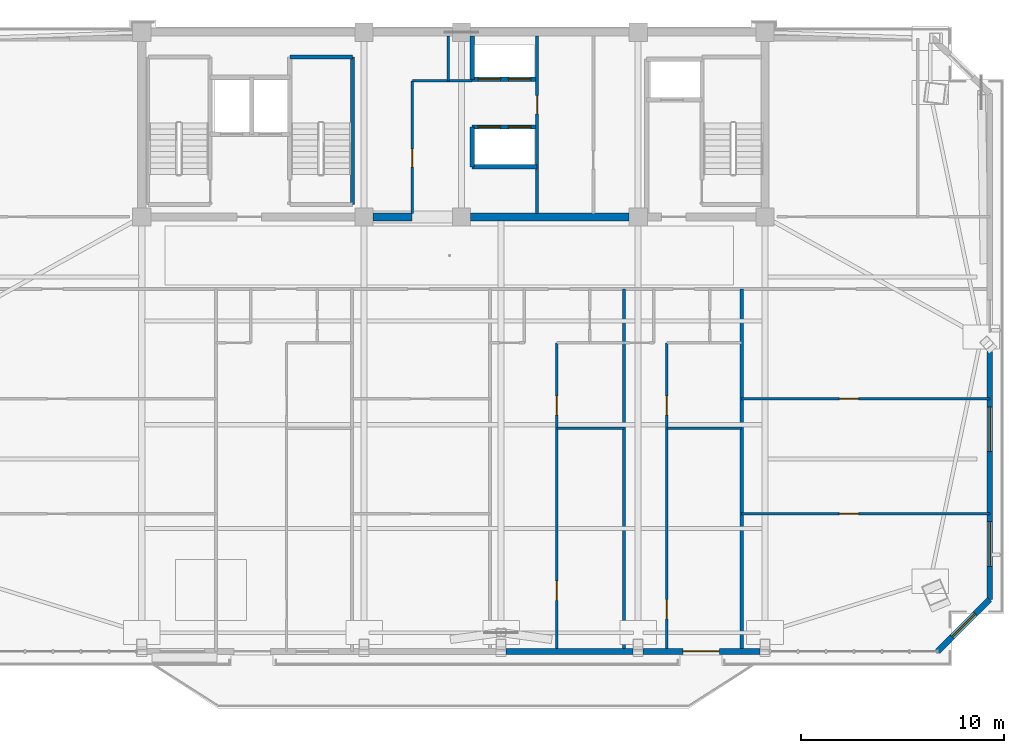
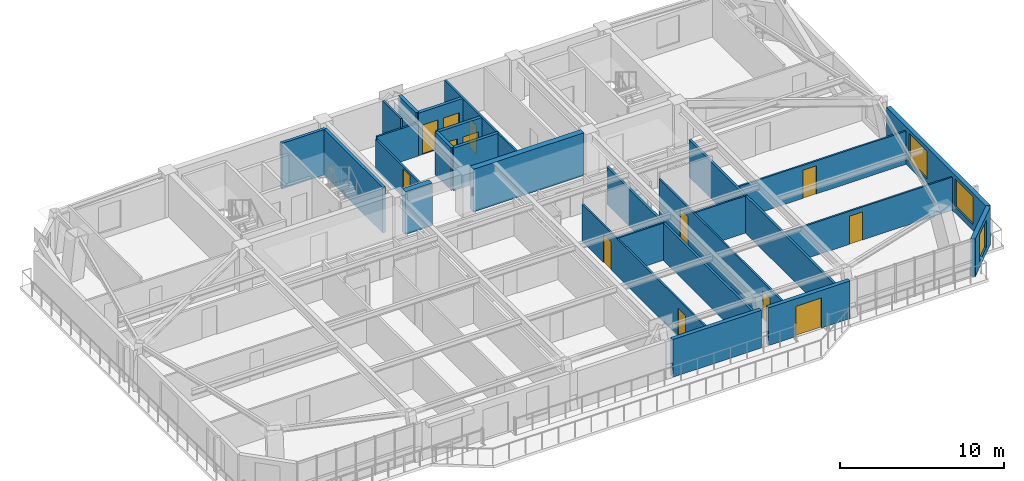
# One storey, part 10 of 18: 25 walls, 13 doors, 3 windows, 16 openings.
"""IFC4 building model written with IfcOpenShell, lengths in metres."""

from ifc_helpers import new_model, si_unit, direction, frame, frame_2d, origin, place, context, subcontext, project, spatial, rectangle, extrude, source, transform, mapped, material, layer, layer_set, type_object, element, fill, save


model = new_model("IFC4")

# Units and contexts
model_context = context("Model", 3, precision=1e-05, world=origin(), true_north=direction((0.0, 1.0)))
body_context = subcontext(model_context, "Body", "Model", "MODEL_VIEW")
ifc_project = project(units=[si_unit("LENGTHUNIT", "METRE"), si_unit("AREAUNIT", "SQUARE_METRE"), si_unit("VOLUMEUNIT", "CUBIC_METRE"), si_unit("PLANEANGLEUNIT", "RADIAN"), si_unit("MASSUNIT", "GRAM", prefix="KILO")], contexts=[model_context])

# Site, building, storey
site_placement = place(None, origin())
site = spatial("IfcSite", under=ifc_project, at=site_placement, CompositionType="ELEMENT")
building_placement = place(site_placement, origin())
building = spatial("IfcBuilding", under=site, at=building_placement, Name="Giltprow Tower", CompositionType="ELEMENT")
storey_placement = place(building_placement, frame((0.0, 0.0, 265.5)))
storey = spatial("IfcBuildingStorey", under=building, at=storey_placement, Name="L68", CompositionType="ELEMENT", Elevation=265.5)

# Wall, opening, window
ifc_material_1 = material(Name="Precast concrete C40", Category="concrete")
ifc_layer_1 = layer(ifc_material_1, 0.300048828125, Name="Precast concrete C40")
ifc_layer_set_1 = layer_set([ifc_layer_1], Name="Precast concrete C40")
wall_type_1 = type_object("IfcWallType", Name="EW-NOTCH-CHAMFER-300", PredefinedType="SOLIDWALL", material=ifc_layer_set_1)
wall_1_placement = place(storey_placement, frame((59.052978515625, 16.044921875, 0.0), z_axis=(0.0, 0.0, 1.0), x_axis=(0.707106781187, 0.707106781187, 0.0)))
wall_1 = element("IfcWall", 1, at=wall_1_placement, inside=storey, type_object=wall_type_1, Name="L68 Corner Notch Wall SE", PredefinedType="SOLIDWALL", context=body_context, shape_type="SweptSolid", body=[
    extrude(rectangle(XDim=3.63330078125, YDim=0.300048828125, at=frame_2d((1.816650390625, 0.0))), origin(), (0.0, 0.0, 1.0), 2.81494140625),
])
opening_1_placement = place(wall_1_placement, frame((1.01708984375, 0.0, 0.449951171875)))
opening_1 = element("IfcOpeningElement", 2, at=opening_1_placement, cuts=wall_1, Name="Opening WN17", PredefinedType="OPENING", context=body_context, shape_type="SweptSolid", body=[
    extrude(rectangle(XDim=1.60009765625, YDim=2.0, at=frame_2d((0.800048828125, 1.0))), frame((0.0, 0.159912109375, 0.0), z_axis=(0.0, -1.0, 0.0), x_axis=(1.0, 0.0, 0.0)), (0.0, 0.0, 1.0), 0.320068359375),
])
ifc_material_2 = material(Name="Insulated glass", Category="glass")
window_type_1 = type_object("IfcWindowType", Name="WN-COR-1600x2000", PartitioningType="SINGLE_PANEL", PredefinedType="WINDOW", material=ifc_material_2)
shared_shape_1 = source(origin(), body_context, "Body", "SweptSolid", [
    extrude(rectangle(XDim=1.60009765625, YDim=2.0, at=frame_2d((0.800048828125, 1.0))), frame((0.0, 0.030029296875, 0.0), z_axis=(0.0, -1.0, 0.0), x_axis=(1.0, 0.0, 0.0)), (0.0, 0.0, 1.0), 0.06005859375),
])
window_1_placement = place(opening_1_placement, origin())
window_1 = element("IfcWindow", 3, at=window_1_placement, inside=storey, type_object=window_type_1, Name="L68 Corner Notch Window SE", OverallHeight=2.0, OverallWidth=1.60009765625, PartitioningType="SINGLE_PANEL", PredefinedType="WINDOW", context=body_context, shape_type="MappedRepresentation", body=[
    mapped(shared_shape_1, transform((0.0, 0.0, 0.0), x_axis=(1.0, 0.0, 0.0), y_axis=(0.0, 1.0, 0.0), z_axis=(0.0, 0.0, 1.0), scale=1.0)),
])
fill(opening_1, window_1)

# Wall
ifc_layer_2 = layer(ifc_material_1, 0.280029296875, Name="Precast concrete C40")
ifc_layer_set_2 = layer_set([ifc_layer_2], Name="Precast concrete C40")
wall_type_2 = type_object("IfcWallType", Name="EW-TOW-BRONZE-280", PredefinedType="SOLIDWALL", material=ifc_layer_set_2)
wall_2_placement = place(storey_placement, frame((37.800048828125, 16.044921875, 0.0), z_axis=(0.0, 0.0, 1.0), x_axis=(1.0, 0.0, 0.0)))
element("IfcWall", 4, at=wall_2_placement, inside=storey, type_object=wall_type_2, Name="L68 South Expressed Frame Wall 4", PredefinedType="SOLIDWALL", context=body_context, shape_type="SweptSolid", body=[
    extrude(rectangle(XDim=6.25, YDim=0.280029296875, at=frame_2d((3.125, 0.0))), origin(), (0.0, 0.0, 1.0), 2.81494140625),
])

# Wall, opening, door
wall_3_placement = place(storey_placement, frame((44.550048828125, 16.044921875, 0.0), z_axis=(0.0, 0.0, 1.0), x_axis=(1.0, 0.0, 0.0)))
wall_3 = element("IfcWall", 5, at=wall_3_placement, inside=storey, type_object=wall_type_2, Name="L68 South Expressed Frame Wall 5", PredefinedType="SOLIDWALL", context=body_context, shape_type="SweptSolid", body=[
    extrude(rectangle(XDim=5.75, YDim=0.280029296875, at=frame_2d((2.875, 0.0))), origin(), (0.0, 0.0, 1.0), 2.81494140625),
])
opening_2_placement = place(wall_3_placement, frame((1.949951171875, 0.0, 0.0)))
opening_2 = element("IfcOpeningElement", 6, at=opening_2_placement, cuts=wall_3, Name="Opening ED25", PredefinedType="OPENING", context=body_context, shape_type="SweptSolid", body=[
    extrude(rectangle(XDim=1.800048828125, YDim=2.25, at=frame_2d((0.89990234375, 1.125))), frame((0.0, 0.14990234375, 0.0), z_axis=(0.0, -1.0, 0.0), x_axis=(1.0, 0.0, 0.0)), (0.0, 0.0, 1.0), 0.300048828125),
])
ifc_material_3 = material(Name="Anodized bronze and glass", Category="glass")
door_type_1 = type_object("IfcDoorType", Name="DR-BALC-SLIDE-1800", OperationType="SLIDING_TO_LEFT", PredefinedType="DOOR", material=ifc_material_3)
shared_shape_2 = source(origin(), body_context, "Body", "SweptSolid", [
    extrude(rectangle(XDim=1.800048828125, YDim=2.25, at=frame_2d((0.89990234375, 1.125))), frame((0.0, 0.02490234375, 0.0), z_axis=(0.0, -1.0, 0.0), x_axis=(1.0, 0.0, 0.0)), (0.0, 0.0, 1.0), 0.050048828125),
])
door_1_placement = place(opening_2_placement, origin())
door_1 = element("IfcDoor", 7, at=door_1_placement, inside=storey, type_object=door_type_1, Name="L68 Waterfront Balcony Sliding Door 2", OperationType="SLIDING_TO_LEFT", OverallHeight=2.25, OverallWidth=1.800048828125, PredefinedType="DOOR", context=body_context, shape_type="MappedRepresentation", body=[
    mapped(shared_shape_2, transform((0.0, 0.0, 0.0), x_axis=(1.0, 0.0, 0.0), y_axis=(0.0, 1.0, 0.0), z_axis=(0.0, 0.0, 1.0), scale=1.0)),
])
fill(opening_2, door_1)

# Wall, openings, windows
wall_4_placement = place(storey_placement, frame((61.6220703125, 18.614013671875, 0.0), z_axis=(0.0, 0.0, 1.0), x_axis=(0.0, 1.0, 0.0)))
wall_4 = element("IfcWall", 8, at=wall_4_placement, inside=storey, type_object=wall_type_2, Name="L68 E Wing Masonry Wall 1", PredefinedType="SOLIDWALL", context=body_context, shape_type="SweptSolid", body=[
    extrude(rectangle(XDim=12.2080078125, YDim=0.280029296875, at=frame_2d((6.10400390625, 0.0))), origin(), (0.0, 0.0, 1.0), 2.81494140625),
])
opening_3_placement = place(wall_4_placement, frame((1.62109375, 0.0, 0.449951171875)))
opening_3 = element("IfcOpeningElement", 9, at=opening_3_placement, cuts=wall_4, Name="Opening WN27", PredefinedType="OPENING", context=body_context, shape_type="SweptSolid", body=[
    extrude(rectangle(XDim=2.199951171875, YDim=2.10009765625, at=frame_2d((1.10009765625, 1.050048828125))), frame((0.0, 0.14990234375, 0.0), z_axis=(0.0, -1.0, 0.0), x_axis=(1.0, 0.0, 0.0)), (0.0, 0.0, 1.0), 0.300048828125),
])
opening_4_placement = place(wall_4_placement, frame((7.280029296875, 0.0, 0.449951171875)))
opening_4 = element("IfcOpeningElement", 10, at=opening_4_placement, cuts=wall_4, Name="Opening WN27", PredefinedType="OPENING", context=body_context, shape_type="SweptSolid", body=[
    extrude(rectangle(XDim=2.199951171875, YDim=2.10009765625, at=frame_2d((1.10009765625, 1.050048828125))), frame((0.0, 0.14990234375, 0.0), z_axis=(0.0, -1.0, 0.0), x_axis=(1.0, 0.0, 0.0)), (0.0, 0.0, 1.0), 0.300048828125),
])
window_type_2 = type_object("IfcWindowType", Name="WN-RES-2200x2100", PartitioningType="TRIPLE_PANEL_VERTICAL", PredefinedType="WINDOW", material=ifc_material_2)
shared_shape_3 = source(origin(), body_context, "Body", "SweptSolid", [
    extrude(rectangle(XDim=2.199951171875, YDim=2.10009765625, at=frame_2d((1.10009765625, 1.050048828125))), frame((0.0, 0.030029296875, 0.0), z_axis=(0.0, -1.0, 0.0), x_axis=(1.0, 0.0, 0.0)), (0.0, 0.0, 1.0), 0.06005859375),
])
window_2_placement = place(opening_3_placement, origin())
window_2 = element("IfcWindow", 11, at=window_2_placement, inside=storey, type_object=window_type_2, Name="L68 E Wing Window 1-1A", OverallHeight=2.10009765625, OverallWidth=2.199951171875, PartitioningType="SINGLE_PANEL", PredefinedType="WINDOW", context=body_context, shape_type="MappedRepresentation", body=[
    mapped(shared_shape_3, transform((0.0, 0.0, 0.0), x_axis=(1.0, 0.0, 0.0), y_axis=(0.0, 1.0, 0.0), z_axis=(0.0, 0.0, 1.0), scale=1.0)),
])
fill(opening_3, window_2)
window_3_placement = place(opening_4_placement, origin())
window_3 = element("IfcWindow", 12, at=window_3_placement, inside=storey, type_object=window_type_2, Name="L68 E Wing Window 1-1B", OverallHeight=2.10009765625, OverallWidth=2.199951171875, PartitioningType="SINGLE_PANEL", PredefinedType="WINDOW", context=body_context, shape_type="MappedRepresentation", body=[
    mapped(shared_shape_3, transform((0.0, 0.0, 0.0), x_axis=(1.0, 0.0, 0.0), y_axis=(0.0, 1.0, 0.0), z_axis=(0.0, 0.0, 1.0), scale=1.0)),
])
fill(opening_4, window_3)

# Walls
ifc_material_4 = material(Name="Gypsum stud partition", Category="gypsum")
ifc_layer_3 = layer(ifc_material_4, 0.159912109375, Name="Gypsum stud partition")
ifc_layer_set_3 = layer_set([ifc_layer_3], Name="Gypsum stud partition")
wall_type_3 = type_object("IfcWallType", Name="IW-DEMISE-160", PredefinedType="PARTITIONING", material=ifc_layer_set_3)
for number, where, z_axis, x_axis, name in (
    (13, (43.60009765625, 16.044921875, 0.0), (0.0, 0.0, 1.0), (0.0, 1.0, 0.0), "L68 Apartment Party Wall 4"),
    (14, (49.39990234375, 16.044921875, 0.0), (0.0, 0.0, 1.0), (0.0, 1.0, 0.0), "L68 Apartment Party Wall 5"),
):
    element("IfcWall", number, at=place(storey_placement, frame(where, z_axis=z_axis, x_axis=x_axis)), inside=storey, type_object=wall_type_3, Name=name, PredefinedType="PARTITIONING", context=body_context, shape_type="SweptSolid", body=[
        extrude(rectangle(XDim=17.85498046875, YDim=0.159912109375, at=frame_2d((8.927490234375, 0.0))), origin(), (0.0, 0.0, 1.0), 2.77001953125),
    ])

# Wall, openings, doors
ifc_layer_4 = layer(ifc_material_4, 0.1201171875, Name="Gypsum stud partition")
ifc_layer_set_4 = layer_set([ifc_layer_4], Name="Gypsum stud partition")
wall_type_4 = type_object("IfcWallType", Name="IW-ROOM-120", PredefinedType="PARTITIONING", material=ifc_layer_set_4)
wall_5_placement = place(storey_placement, frame((40.300048828125, 16.044921875, 0.0), z_axis=(0.0, 0.0, 1.0), x_axis=(0.0, 1.0, 0.0)))
wall_5 = element("IfcWall", 15, at=wall_5_placement, inside=storey, type_object=wall_type_4, Name="L68 Unit 2 Bedroom Wall", PredefinedType="PARTITIONING", context=body_context, shape_type="SweptSolid", body=[
    extrude(rectangle(XDim=15.205078125, YDim=0.1201171875, at=frame_2d((7.6025390625, 0.0))), origin(), (0.0, 0.0, 1.0), 2.77001953125),
])
opening_5_placement = place(wall_5_placement, frame((2.52099609375, 0.0, 0.0)))
opening_5 = element("IfcOpeningElement", 16, at=opening_5_placement, cuts=wall_5, Name="Opening ID11", PredefinedType="OPENING", context=body_context, shape_type="SweptSolid", body=[
    extrude(rectangle(XDim=0.949951171875, YDim=2.10009765625, at=frame_2d((0.47509765625, 1.050048828125))), frame((0.0, 0.070068359375, 0.0), z_axis=(0.0, -1.0, 0.0), x_axis=(1.0, 0.0, 0.0)), (0.0, 0.0, 1.0), 0.14013671875),
])
opening_6_placement = place(wall_5_placement, frame((11.64501953125, 0.0, 0.0)))
opening_6 = element("IfcOpeningElement", 17, at=opening_6_placement, cuts=wall_5, Name="Opening ID11", PredefinedType="OPENING", context=body_context, shape_type="SweptSolid", body=[
    extrude(rectangle(XDim=0.949951171875, YDim=2.10009765625, at=frame_2d((0.47509765625, 1.050048828125))), frame((0.0, 0.070068359375, 0.0), z_axis=(0.0, -1.0, 0.0), x_axis=(1.0, 0.0, 0.0)), (0.0, 0.0, 1.0), 0.14013671875),
])
ifc_material_5 = material(Name="Engineered timber", Category="wood")
door_type_2 = type_object("IfcDoorType", Name="DR-ROOM-950", OperationType="SINGLE_SWING_RIGHT", PredefinedType="DOOR", material=ifc_material_5)
shared_shape_4 = source(origin(), body_context, "Body", "SweptSolid", [
    extrude(rectangle(XDim=0.949951171875, YDim=2.10009765625, at=frame_2d((0.47509765625, 1.050048828125))), frame((0.0, 0.02490234375, 0.0), z_axis=(0.0, -1.0, 0.0), x_axis=(1.0, 0.0, 0.0)), (0.0, 0.0, 1.0), 0.050048828125),
])
door_2_placement = place(opening_5_placement, origin())
door_2 = element("IfcDoor", 18, at=door_2_placement, inside=storey, type_object=door_type_2, Name="L68 Unit 2 Primary Bedroom Door", OperationType="SINGLE_SWING_RIGHT", OverallHeight=2.10009765625, OverallWidth=0.949951171875, PredefinedType="DOOR", context=body_context, shape_type="MappedRepresentation", body=[
    mapped(shared_shape_4, transform((0.0, 0.0, 0.0), x_axis=(1.0, 0.0, 0.0), y_axis=(0.0, 1.0, 0.0), z_axis=(0.0, 0.0, 1.0), scale=1.0)),
])
fill(opening_5, door_2)
door_3_placement = place(opening_6_placement, origin())
door_3 = element("IfcDoor", 19, at=door_3_placement, inside=storey, type_object=door_type_2, Name="L68 Unit 2 Second Bedroom Door", OperationType="SINGLE_SWING_LEFT", OverallHeight=2.10009765625, OverallWidth=0.949951171875, PredefinedType="DOOR", context=body_context, shape_type="MappedRepresentation", body=[
    mapped(shared_shape_4, transform((0.0, 0.0, 0.0), x_axis=(1.0, 0.0, 0.0), y_axis=(0.0, 1.0, 0.0), z_axis=(0.0, 0.0, 1.0), scale=1.0)),
])
fill(opening_6, door_3)

# Wall
wall_6_placement = place(storey_placement, frame((40.300048828125, 27.050048828125, 0.0), z_axis=(0.0, 0.0, 1.0), x_axis=(1.0, 0.0, 0.0)))
element("IfcWall", 20, at=wall_6_placement, inside=storey, type_object=wall_type_4, Name="L68 Unit 2 Second Bedroom Wall", PredefinedType="PARTITIONING", context=body_context, shape_type="SweptSolid", body=[
    extrude(rectangle(XDim=3.300048828125, YDim=0.1201171875, at=frame_2d((1.64990234375, 0.0))), origin(), (0.0, 0.0, 1.0), 2.77001953125),
])

# Wall, openings, doors
wall_7_placement = place(storey_placement, frame((45.719970703125, 16.044921875, 0.0), z_axis=(0.0, 0.0, 1.0), x_axis=(0.0, 1.0, 0.0)))
wall_7 = element("IfcWall", 21, at=wall_7_placement, inside=storey, type_object=wall_type_4, Name="L68 Unit 3 Bedroom Wall", PredefinedType="PARTITIONING", context=body_context, shape_type="SweptSolid", body=[
    extrude(rectangle(XDim=15.205078125, YDim=0.1201171875, at=frame_2d((7.6025390625, 0.0))), origin(), (0.0, 0.0, 1.0), 2.77001953125),
])
opening_7_placement = place(wall_7_placement, frame((1.60107421875, 0.0, 0.0)))
opening_7 = element("IfcOpeningElement", 22, at=opening_7_placement, cuts=wall_7, Name="Opening ID11", PredefinedType="OPENING", context=body_context, shape_type="SweptSolid", body=[
    extrude(rectangle(XDim=0.949951171875, YDim=2.10009765625, at=frame_2d((0.47509765625, 1.050048828125))), frame((0.0, 0.070068359375, 0.0), z_axis=(0.0, -1.0, 0.0), x_axis=(1.0, 0.0, 0.0)), (0.0, 0.0, 1.0), 0.14013671875),
])
opening_8_placement = place(wall_7_placement, frame((11.64501953125, 0.0, 0.0)))
opening_8 = element("IfcOpeningElement", 23, at=opening_8_placement, cuts=wall_7, Name="Opening ID11", PredefinedType="OPENING", context=body_context, shape_type="SweptSolid", body=[
    extrude(rectangle(XDim=0.949951171875, YDim=2.10009765625, at=frame_2d((0.47509765625, 1.050048828125))), frame((0.0, 0.070068359375, 0.0), z_axis=(0.0, -1.0, 0.0), x_axis=(1.0, 0.0, 0.0)), (0.0, 0.0, 1.0), 0.14013671875),
])
door_4_placement = place(opening_7_placement, origin())
door_4 = element("IfcDoor", 24, at=door_4_placement, inside=storey, type_object=door_type_2, Name="L68 Unit 3 Primary Bedroom Door", OperationType="SINGLE_SWING_LEFT", OverallHeight=2.10009765625, OverallWidth=0.949951171875, PredefinedType="DOOR", context=body_context, shape_type="MappedRepresentation", body=[
    mapped(shared_shape_4, transform((0.0, 0.0, 0.0), x_axis=(1.0, 0.0, 0.0), y_axis=(0.0, 1.0, 0.0), z_axis=(0.0, 0.0, 1.0), scale=1.0)),
])
fill(opening_7, door_4)
door_5_placement = place(opening_8_placement, origin())
door_5 = element("IfcDoor", 25, at=door_5_placement, inside=storey, type_object=door_type_2, Name="L68 Unit 3 Second Bedroom Door", OperationType="SINGLE_SWING_RIGHT", OverallHeight=2.10009765625, OverallWidth=0.949951171875, PredefinedType="DOOR", context=body_context, shape_type="MappedRepresentation", body=[
    mapped(shared_shape_4, transform((0.0, 0.0, 0.0), x_axis=(1.0, 0.0, 0.0), y_axis=(0.0, 1.0, 0.0), z_axis=(0.0, 0.0, 1.0), scale=1.0)),
])
fill(opening_8, door_5)

# Wall
wall_8_placement = place(storey_placement, frame((45.719970703125, 27.050048828125, 0.0), z_axis=(0.0, 0.0, 1.0), x_axis=(1.0, 0.0, 0.0)))
element("IfcWall", 26, at=wall_8_placement, inside=storey, type_object=wall_type_4, Name="L68 Unit 3 Second Bedroom Wall", PredefinedType="PARTITIONING", context=body_context, shape_type="SweptSolid", body=[
    extrude(rectangle(XDim=3.679931640625, YDim=0.1201171875, at=frame_2d((1.83984375, 0.0))), origin(), (0.0, 0.0, 1.0), 2.77001953125),
])

# Wall, opening, door
wall_9_placement = place(storey_placement, frame((49.39990234375, 22.8349609375, 0.0), z_axis=(0.0, 0.0, 1.0), x_axis=(1.0, 0.0, 0.0)))
wall_9 = element("IfcWall", 27, at=wall_9_placement, inside=storey, type_object=wall_type_4, Name="L68 Special Split 1", PredefinedType="PARTITIONING", context=body_context, shape_type="SweptSolid", body=[
    extrude(rectangle(XDim=12.22216796875, YDim=0.1201171875, at=frame_2d((6.111083984375, 0.0))), origin(), (0.0, 0.0, 1.0), 2.469970703125),
])
opening_9_placement = place(wall_9_placement, frame((4.80908203125, 0.0, 0.0)))
opening_9 = element("IfcOpeningElement", 28, at=opening_9_placement, cuts=wall_9, Name="Opening ID11", PredefinedType="OPENING", context=body_context, shape_type="SweptSolid", body=[
    extrude(rectangle(XDim=0.949951171875, YDim=2.10009765625, at=frame_2d((0.47509765625, 1.050048828125))), frame((0.0, 0.070068359375, 0.0), z_axis=(0.0, -1.0, 0.0), x_axis=(1.0, 0.0, 0.0)), (0.0, 0.0, 1.0), 0.14013671875),
])
door_6_placement = place(opening_9_placement, origin())
door_6 = element("IfcDoor", 29, at=door_6_placement, inside=storey, type_object=door_type_2, Name="L68 Screening Meeting Room 3 South Door", OperationType="SINGLE_SWING_LEFT", OverallHeight=2.10009765625, OverallWidth=0.949951171875, PredefinedType="DOOR", context=body_context, shape_type="MappedRepresentation", body=[
    mapped(shared_shape_4, transform((0.0, 0.0, 0.0), x_axis=(1.0, 0.0, 0.0), y_axis=(0.0, 1.0, 0.0), z_axis=(0.0, 0.0, 1.0), scale=1.0)),
])
fill(opening_9, door_6)

wall_10_placement = place(storey_placement, frame((49.39990234375, 28.493896484375, 0.0), z_axis=(0.0, 0.0, 1.0), x_axis=(1.0, 0.0, 0.0)))
wall_10 = element("IfcWall", 30, at=wall_10_placement, inside=storey, type_object=wall_type_4, Name="L68 Special Split 2", PredefinedType="PARTITIONING", context=body_context, shape_type="SweptSolid", body=[
    extrude(rectangle(XDim=12.22216796875, YDim=0.1201171875, at=frame_2d((6.111083984375, 0.0))), origin(), (0.0, 0.0, 1.0), 2.469970703125),
])
opening_10_placement = place(wall_10_placement, frame((4.80908203125, 0.0, 0.0)))
opening_10 = element("IfcOpeningElement", 31, at=opening_10_placement, cuts=wall_10, Name="Opening ID11", PredefinedType="OPENING", context=body_context, shape_type="SweptSolid", body=[
    extrude(rectangle(XDim=0.949951171875, YDim=2.10009765625, at=frame_2d((0.47509765625, 1.050048828125))), frame((0.0, 0.070068359375, 0.0), z_axis=(0.0, -1.0, 0.0), x_axis=(1.0, 0.0, 0.0)), (0.0, 0.0, 1.0), 0.14013671875),
])
door_7_placement = place(opening_10_placement, origin())
door_7 = element("IfcDoor", 32, at=door_7_placement, inside=storey, type_object=door_type_2, Name="L68 Screening Meeting Room 3 Mid Door", OperationType="SINGLE_SWING_RIGHT", OverallHeight=2.10009765625, OverallWidth=0.949951171875, PredefinedType="DOOR", context=body_context, shape_type="MappedRepresentation", body=[
    mapped(shared_shape_4, transform((0.0, 0.0, 0.0), x_axis=(1.0, 0.0, 0.0), y_axis=(0.0, 1.0, 0.0), z_axis=(0.0, 0.0, 1.0), scale=1.0)),
])
fill(opening_10, door_7)

# Wall, openings, doors
ifc_material_6 = material(Name="Concrete C40", Category="concrete")
ifc_layer_5 = layer(ifc_material_6, 0.219970703125, Name="Concrete C40")
ifc_layer_set_5 = layer_set([ifc_layer_5], Name="Concrete C40")
wall_type_5 = type_object("IfcWallType", Name="IW-SHAFT-220", PredefinedType="SOLIDWALL", material=ifc_layer_set_5)
wall_11_placement = place(storey_placement, frame((36.1201171875, 44.219970703125, 0.0), z_axis=(0.0, 0.0, 1.0), x_axis=(1.0, 0.0, 0.0)))
wall_11 = element("IfcWall", 33, at=wall_11_placement, inside=storey, type_object=wall_type_5, Name="L68 High-Rise Lift Shaft Front Wall N", PredefinedType="SOLIDWALL", context=body_context, shape_type="SweptSolid", body=[
    extrude(rectangle(XDim=3.199951171875, YDim=0.219970703125, at=frame_2d((1.60009765625, 0.0))), origin(), (0.0, 0.0, 1.0), 3.18505859375),
])
opening_11_placement = place(wall_11_placement, frame((0.300048828125, 0.0, 0.0)))
opening_11 = element("IfcOpeningElement", 34, at=opening_11_placement, cuts=wall_11, Name="Opening LD-11", PredefinedType="OPENING", context=body_context, shape_type="SweptSolid", body=[
    extrude(rectangle(XDim=1.10009765625, YDim=2.199951171875, at=frame_2d((0.550048828125, 1.10009765625))), frame((0.0, 0.119873046875, 0.0), z_axis=(0.0, -1.0, 0.0), x_axis=(1.0, 0.0, 0.0)), (0.0, 0.0, 1.0), 0.239990234375),
])
opening_12_placement = place(wall_11_placement, frame((1.7900390625, 0.0, 0.0)))
opening_12 = element("IfcOpeningElement", 35, at=opening_12_placement, cuts=wall_11, Name="Opening LD-11", PredefinedType="OPENING", context=body_context, shape_type="SweptSolid", body=[
    extrude(rectangle(XDim=1.10009765625, YDim=2.199951171875, at=frame_2d((0.550048828125, 1.10009765625))), frame((0.0, 0.119873046875, 0.0), z_axis=(0.0, -1.0, 0.0), x_axis=(1.0, 0.0, 0.0)), (0.0, 0.0, 1.0), 0.239990234375),
])
ifc_material_7 = material(Name="Stainless steel", Category="steel")
door_type_3 = type_object("IfcDoorType", Name="DR-LIFT-LD1100", OperationType="SLIDING_TO_LEFT", PredefinedType="DOOR", material=ifc_material_7)
shared_shape_5 = source(origin(), body_context, "Body", "SweptSolid", [
    extrude(rectangle(XDim=1.10009765625, YDim=2.199951171875, at=frame_2d((0.550048828125, 1.10009765625))), frame((0.0, 0.02490234375, 0.0), z_axis=(0.0, -1.0, 0.0), x_axis=(1.0, 0.0, 0.0)), (0.0, 0.0, 1.0), 0.050048828125),
])
door_8_placement = place(opening_11_placement, origin())
door_8 = element("IfcDoor", 36, at=door_8_placement, inside=storey, type_object=door_type_3, Name="L68 PL-H1 Landing Door", OperationType="SLIDING_TO_LEFT", OverallHeight=2.199951171875, OverallWidth=1.10009765625, PredefinedType="DOOR", context=body_context, shape_type="MappedRepresentation", body=[
    mapped(shared_shape_5, transform((0.0, 0.0, 0.0), x_axis=(1.0, 0.0, 0.0), y_axis=(0.0, 1.0, 0.0), z_axis=(0.0, 0.0, 1.0), scale=1.0)),
])
fill(opening_11, door_8)
door_9_placement = place(opening_12_placement, origin())
door_9 = element("IfcDoor", 37, at=door_9_placement, inside=storey, type_object=door_type_3, Name="L68 PL-H2 Landing Door", OperationType="SLIDING_TO_LEFT", OverallHeight=2.199951171875, OverallWidth=1.10009765625, PredefinedType="DOOR", context=body_context, shape_type="MappedRepresentation", body=[
    mapped(shared_shape_5, transform((0.0, 0.0, 0.0), x_axis=(1.0, 0.0, 0.0), y_axis=(0.0, 1.0, 0.0), z_axis=(0.0, 0.0, 1.0), scale=1.0)),
])
fill(opening_12, door_9)

wall_12_placement = place(storey_placement, frame((36.1201171875, 41.8798828125, 0.0), z_axis=(0.0, 0.0, 1.0), x_axis=(1.0, 0.0, 0.0)))
wall_12 = element("IfcWall", 38, at=wall_12_placement, inside=storey, type_object=wall_type_5, Name="L68 High-Rise Lift Shaft Front Wall S", PredefinedType="SOLIDWALL", context=body_context, shape_type="SweptSolid", body=[
    extrude(rectangle(XDim=3.199951171875, YDim=0.219970703125, at=frame_2d((1.60009765625, 0.0))), origin(), (0.0, 0.0, 1.0), 3.18505859375),
])
opening_13_placement = place(wall_12_placement, frame((0.300048828125, 0.0, 0.0)))
opening_13 = element("IfcOpeningElement", 39, at=opening_13_placement, cuts=wall_12, Name="Opening LD-11", PredefinedType="OPENING", context=body_context, shape_type="SweptSolid", body=[
    extrude(rectangle(XDim=1.10009765625, YDim=2.199951171875, at=frame_2d((0.550048828125, 1.10009765625))), frame((0.0, 0.119873046875, 0.0), z_axis=(0.0, -1.0, 0.0), x_axis=(1.0, 0.0, 0.0)), (0.0, 0.0, 1.0), 0.239990234375),
])
opening_14_placement = place(wall_12_placement, frame((1.7900390625, 0.0, 0.0)))
opening_14 = element("IfcOpeningElement", 40, at=opening_14_placement, cuts=wall_12, Name="Opening LD-11", PredefinedType="OPENING", context=body_context, shape_type="SweptSolid", body=[
    extrude(rectangle(XDim=1.10009765625, YDim=2.199951171875, at=frame_2d((0.550048828125, 1.10009765625))), frame((0.0, 0.119873046875, 0.0), z_axis=(0.0, -1.0, 0.0), x_axis=(1.0, 0.0, 0.0)), (0.0, 0.0, 1.0), 0.239990234375),
])
door_10_placement = place(opening_13_placement, origin())
door_10 = element("IfcDoor", 41, at=door_10_placement, inside=storey, type_object=door_type_3, Name="L68 PL-H3 Landing Door", OperationType="SLIDING_TO_LEFT", OverallHeight=2.199951171875, OverallWidth=1.10009765625, PredefinedType="DOOR", context=body_context, shape_type="MappedRepresentation", body=[
    mapped(shared_shape_5, transform((0.0, 0.0, 0.0), x_axis=(1.0, 0.0, 0.0), y_axis=(0.0, 1.0, 0.0), z_axis=(0.0, 0.0, 1.0), scale=1.0)),
])
fill(opening_13, door_10)
door_11_placement = place(opening_14_placement, origin())
door_11 = element("IfcDoor", 42, at=door_11_placement, inside=storey, type_object=door_type_3, Name="L68 PL-H4 Landing Door", OperationType="SLIDING_TO_LEFT", OverallHeight=2.199951171875, OverallWidth=1.10009765625, PredefinedType="DOOR", context=body_context, shape_type="MappedRepresentation", body=[
    mapped(shared_shape_5, transform((0.0, 0.0, 0.0), x_axis=(1.0, 0.0, 0.0), y_axis=(0.0, 1.0, 0.0), z_axis=(0.0, 0.0, 1.0), scale=1.0)),
])
fill(opening_14, door_11)

# Walls
wall_13_placement = place(storey_placement, frame((36.1201171875, 39.919921875, 0.0), z_axis=(0.0, 0.0, 1.0), x_axis=(1.0, 0.0, 0.0)))
element("IfcWall", 43, at=wall_13_placement, inside=storey, type_object=wall_type_5, Name="L68 High-Rise South Lift Back Wall", PredefinedType="SOLIDWALL", context=body_context, shape_type="SweptSolid", body=[
    extrude(rectangle(XDim=3.199951171875, YDim=0.219970703125, at=frame_2d((1.60009765625, 0.0))), origin(), (0.0, 0.0, 1.0), 3.18505859375),
])
wall_14_placement = place(storey_placement, frame((36.1201171875, 39.919921875, 0.0), z_axis=(0.0, 0.0, 1.0), x_axis=(0.0, 1.0, 0.0)))
element("IfcWall", 44, at=wall_14_placement, inside=storey, type_object=wall_type_5, Name="L68 High-Rise South Lift West Closure", PredefinedType="SOLIDWALL", context=body_context, shape_type="SweptSolid", body=[
    extrude(rectangle(XDim=1.9599609375, YDim=0.219970703125, at=frame_2d((0.97998046875, 0.0))), origin(), (0.0, 0.0, 1.0), 3.18505859375),
])
wall_15_placement = place(storey_placement, frame((36.1201171875, 44.219970703125, 0.0), z_axis=(0.0, 0.0, 1.0), x_axis=(0.0, 1.0, 0.0)))
element("IfcWall", 45, at=wall_15_placement, inside=storey, type_object=wall_type_5, Name="L68 High-Rise North Lift West Closure", PredefinedType="SOLIDWALL", context=body_context, shape_type="SweptSolid", body=[
    extrude(rectangle(XDim=2.150146484375, YDim=0.219970703125, at=frame_2d((1.0751953125, 0.0))), origin(), (0.0, 0.0, 1.0), 3.18505859375),
])
ifc_layer_6 = layer(ifc_material_6, 0.199951171875, Name="Concrete C40")
ifc_layer_set_6 = layer_set([ifc_layer_6], Name="Concrete C40")
wall_type_6 = type_object("IfcWallType", Name="IW-STAIR-200", PredefinedType="SOLIDWALL", material=ifc_layer_set_6)
wall_16_placement = place(storey_placement, frame((30.219970703125, 38.070068359375, 0.0), z_axis=(0.0, 0.0, 1.0), x_axis=(0.0, 1.0, 0.0)))
element("IfcWall", 46, at=wall_16_placement, inside=storey, type_object=wall_type_6, Name="L68 Stair ST-2 East Bearing Wall", PredefinedType="SOLIDWALL", context=body_context, shape_type="SweptSolid", body=[
    extrude(rectangle(XDim=7.25, YDim=0.199951171875, at=frame_2d((3.625, 0.0))), origin(), (0.0, 0.0, 1.0), 3.39990234375),
])
wall_17_placement = place(storey_placement, frame((27.139892578125, 45.320068359375, 0.0), z_axis=(0.0, 0.0, 1.0), x_axis=(1.0, 0.0, 0.0)))
element("IfcWall", 47, at=wall_17_placement, inside=storey, type_object=wall_type_6, Name="L68 Stair ST-2 North Bearing Wall", PredefinedType="SOLIDWALL", context=body_context, shape_type="SweptSolid", body=[
    extrude(rectangle(XDim=3.080078125, YDim=0.199951171875, at=frame_2d((1.5400390625, 0.0))), origin(), (0.0, 0.0, 1.0), 3.39990234375),
])

# Wall, opening, door
ifc_material_8 = material(Name="Concrete C30", Category="concrete")
ifc_layer_7 = layer(ifc_material_8, 0.1298828125, Name="Concrete C30")
ifc_layer_set_7 = layer_set([ifc_layer_7], Name="Concrete C30")
wall_type_7 = type_object("IfcWallType", Name="IW-WET-130", PredefinedType="PARTITIONING", material=ifc_layer_set_7)
wall_18_placement = place(storey_placement, frame((33.179931640625, 37.6298828125, 0.0), z_axis=(0.0, 0.0, 1.0), x_axis=(0.0, 1.0, 0.0)))
wall_18 = element("IfcWall", 48, at=wall_18_placement, inside=storey, type_object=wall_type_7, Name="L68 Reclaimed West Core Wall", PredefinedType="PARTITIONING", context=body_context, shape_type="SweptSolid", body=[
    extrude(rectangle(XDim=6.52001953125, YDim=0.1298828125, at=frame_2d((3.260009765625, 0.0))), origin(), (0.0, 0.0, 1.0), 2.27001953125),
])
opening_15_placement = place(wall_18_placement, frame((2.27001953125, 0.0, 0.0)))
opening_15 = element("IfcOpeningElement", 49, at=opening_15_placement, cuts=wall_18, Name="Opening ID35", PredefinedType="OPENING", context=body_context, shape_type="SweptSolid", body=[
    extrude(rectangle(XDim=0.89990234375, YDim=2.10009765625, at=frame_2d((0.449951171875, 1.050048828125))), frame((0.0, 0.074951171875, 0.0), z_axis=(0.0, -1.0, 0.0), x_axis=(1.0, 0.0, 0.0)), (0.0, 0.0, 1.0), 0.14990234375),
])
ifc_material_9 = material(Name="Steel fire leaf", Category="steel")
door_type_4 = type_object("IfcDoorType", Name="DR-SHAFT-900", OperationType="SINGLE_SWING_LEFT", PredefinedType="DOOR", material=ifc_material_9)
shared_shape_6 = source(origin(), body_context, "Body", "SweptSolid", [
    extrude(rectangle(XDim=0.89990234375, YDim=2.10009765625, at=frame_2d((0.449951171875, 1.050048828125))), frame((0.0, 0.02490234375, 0.0), z_axis=(0.0, -1.0, 0.0), x_axis=(1.0, 0.0, 0.0)), (0.0, 0.0, 1.0), 0.050048828125),
])
door_12_placement = place(opening_15_placement, origin())
door_12 = element("IfcDoor", 50, at=door_12_placement, inside=storey, type_object=door_type_4, Name="L68 Core Staff Washroom Door", OperationType="SINGLE_SWING_LEFT", OverallHeight=2.10009765625, OverallWidth=0.89990234375, PredefinedType="DOOR", context=body_context, shape_type="MappedRepresentation", body=[
    mapped(shared_shape_6, transform((0.0, 0.0, 0.0), x_axis=(1.0, 0.0, 0.0), y_axis=(0.0, 1.0, 0.0), z_axis=(0.0, 0.0, 1.0), scale=1.0)),
])
fill(opening_15, door_12)

# Walls
wall_19_placement = place(storey_placement, frame((34.949951171875, 44.14990234375, 0.0), z_axis=(0.0, 0.0, 1.0), x_axis=(0.0, 1.0, 0.0)))
element("IfcWall", 51, at=wall_19_placement, inside=storey, type_object=wall_type_7, Name="L68 Reclaimed West Pocket Wall E", PredefinedType="PARTITIONING", context=body_context, shape_type="SweptSolid", body=[
    extrude(rectangle(XDim=2.22021484375, YDim=0.1298828125, at=frame_2d((1.110107421875, 0.0))), origin(), (0.0, 0.0, 1.0), 3.18505859375),
])
wall_20_placement = place(storey_placement, frame((33.179931640625, 44.14990234375, 0.0), z_axis=(0.0, 0.0, 1.0), x_axis=(1.0, 0.0, 0.0)))
element("IfcWall", 52, at=wall_20_placement, inside=storey, type_object=wall_type_7, Name="L68 Reclaimed West Pocket Wall S", PredefinedType="PARTITIONING", context=body_context, shape_type="SweptSolid", body=[
    extrude(rectangle(XDim=2.940185546875, YDim=0.1298828125, at=frame_2d((1.47021484375, 0.0))), origin(), (0.0, 0.0, 1.0), 2.469970703125),
])

# Wall, opening, door
wall_21_placement = place(storey_placement, frame((39.320068359375, 37.6298828125, 0.0), z_axis=(0.0, 0.0, 1.0), x_axis=(0.0, 1.0, 0.0)))
wall_21 = element("IfcWall", 53, at=wall_21_placement, inside=storey, type_object=wall_type_7, Name="L68 Reclaimed East Core Wall", PredefinedType="PARTITIONING", context=body_context, shape_type="SweptSolid", body=[
    extrude(rectangle(XDim=8.740234375, YDim=0.1298828125, at=frame_2d((4.3701171875, 0.0))), origin(), (0.0, 0.0, 1.0), 3.18505859375),
])
opening_16_placement = place(wall_21_placement, frame((4.889892578125, 0.0, 0.0)))
opening_16 = element("IfcOpeningElement", 54, at=opening_16_placement, cuts=wall_21, Name="Opening ID35", PredefinedType="OPENING", context=body_context, shape_type="SweptSolid", body=[
    extrude(rectangle(XDim=0.89990234375, YDim=2.10009765625, at=frame_2d((0.449951171875, 1.050048828125))), frame((0.0, 0.074951171875, 0.0), z_axis=(0.0, -1.0, 0.0), x_axis=(1.0, 0.0, 0.0)), (0.0, 0.0, 1.0), 0.14990234375),
])
door_13_placement = place(opening_16_placement, origin())
door_13 = element("IfcDoor", 55, at=door_13_placement, inside=storey, type_object=door_type_4, Name="L68 Core Laundry Room Door", OperationType="SINGLE_SWING_RIGHT", OverallHeight=2.10009765625, OverallWidth=0.89990234375, PredefinedType="DOOR", context=body_context, shape_type="MappedRepresentation", body=[
    mapped(shared_shape_6, transform((0.0, 0.0, 0.0), x_axis=(1.0, 0.0, 0.0), y_axis=(0.0, 1.0, 0.0), z_axis=(0.0, 0.0, 1.0), scale=1.0)),
])
fill(opening_16, door_13)

# Walls
ifc_material_10 = material(Name="Concrete C45", Category="concrete")
ifc_layer_8 = layer(ifc_material_10, 0.39990234375, Name="Concrete C45")
ifc_layer_set_8 = layer_set([ifc_layer_8], Name="Concrete C45")
wall_type_8 = type_object("IfcWallType", Name="SW-INT-400-C45", PredefinedType="SHEAR", material=ifc_layer_set_8)
wall_22_placement = place(storey_placement, frame((31.25, 37.449951171875, 0.0), z_axis=(0.0, 0.0, 1.0), x_axis=(1.0, 0.0, 0.0)))
element("IfcWall", 56, at=wall_22_placement, inside=storey, type_object=wall_type_8, Name="L68 South Rear Core Shear Wall Mid-West", PredefinedType="SHEAR", context=body_context, shape_type="SweptSolid", body=[
    extrude(rectangle(XDim=1.89990234375, YDim=0.39990234375, at=frame_2d((0.949951171875, 0.0))), origin(), (0.0, 0.0, 1.0), 3.18505859375),
])
wall_23_placement = place(storey_placement, frame((36.050048828125, 37.449951171875, 0.0), z_axis=(0.0, 0.0, 1.0), x_axis=(1.0, 0.0, 0.0)))
element("IfcWall", 57, at=wall_23_placement, inside=storey, type_object=wall_type_8, Name="L68 South Rear Core Shear Wall Mid-East", PredefinedType="SHEAR", context=body_context, shape_type="SweptSolid", body=[
    extrude(rectangle(XDim=7.800048828125, YDim=0.39990234375, at=frame_2d((3.89990234375, 0.0))), origin(), (0.0, 0.0, 1.0), 3.18505859375),
])

save(model, "model.ifc")
